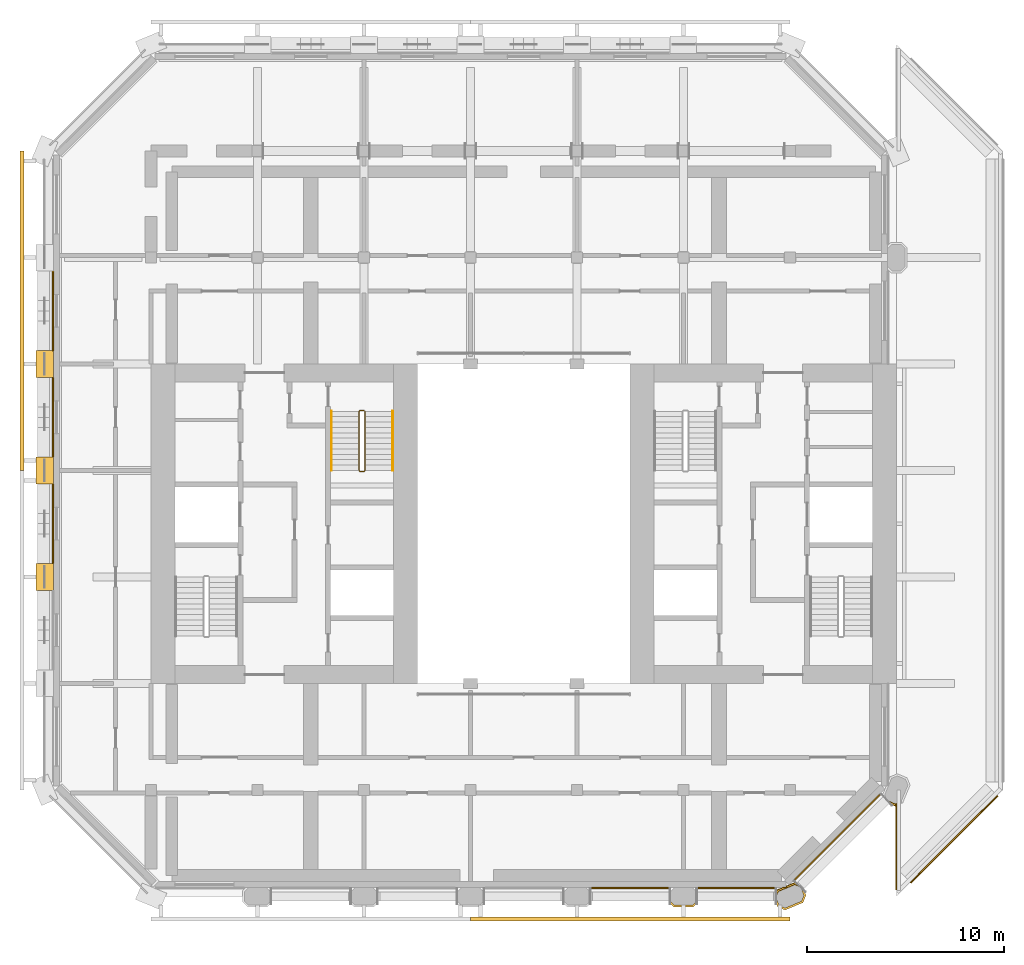
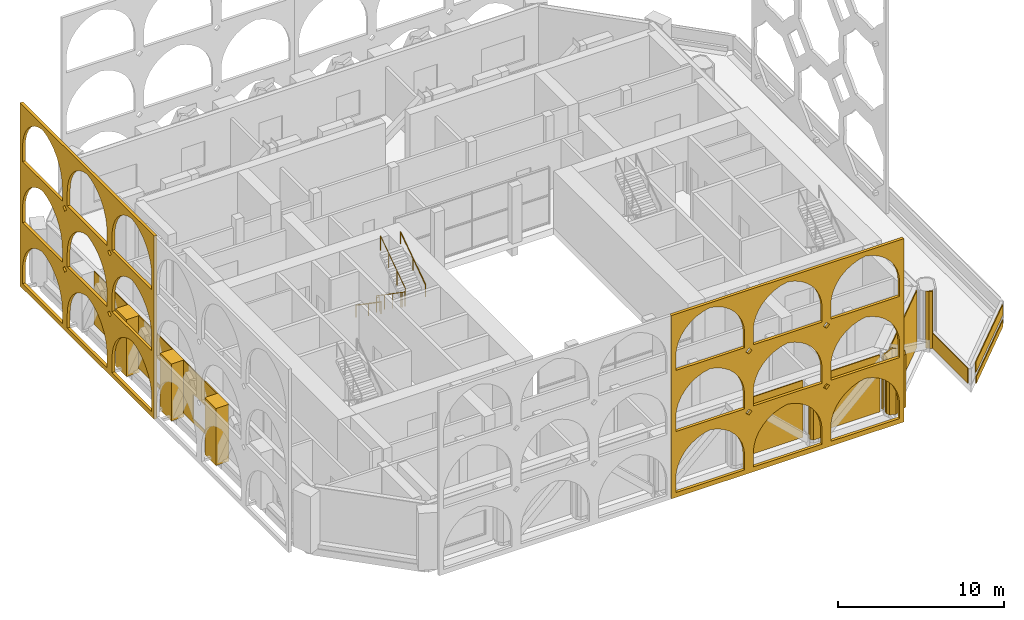
# One storey, part 14 of 16: 18 coverings, 3 railings.
"""IFC4 building model written with IfcOpenShell, lengths in metres."""

from ifc_helpers import new_model, si_unit, direction, frame, frame_2d, origin, origin_2d, place, context, subcontext, project, spatial, polyline, rectangle, circle, outline, extrude, material, layer, layer_set, type_object, element, save


model = new_model("IFC4")

# Units and contexts
model_context = context("Model", 3, precision=1e-05, world=origin(), true_north=direction((0.0, 1.0)))
body_context = subcontext(model_context, "Body", "Model", "MODEL_VIEW")
ifc_project = project(units=[si_unit("LENGTHUNIT", "METRE"), si_unit("AREAUNIT", "SQUARE_METRE"), si_unit("VOLUMEUNIT", "CUBIC_METRE"), si_unit("PLANEANGLEUNIT", "RADIAN"), si_unit("MASSUNIT", "GRAM", prefix="KILO")], contexts=[model_context])

# Site, building, storey
site_placement = place(None, origin())
site = spatial("IfcSite", under=ifc_project, at=site_placement, CompositionType="ELEMENT")
building_placement = place(site_placement, origin())
building = spatial("IfcBuilding", under=site, at=building_placement, Name="Tabaq Tower and Sports Hall", CompositionType="ELEMENT")
storey_placement = place(building_placement, frame((0.0, 0.0, 308.199951171875)))
storey = spatial("IfcBuildingStorey", under=building, at=storey_placement, Name="L77", CompositionType="ELEMENT", Elevation=308.199951171875)

# Coverings
ifc_material_1 = material(Name="Precast concrete C60/75", Category="concrete")
ifc_layer_1 = layer(ifc_material_1, 0.10009765625)
ifc_layer_set_1 = layer_set([ifc_layer_1], Name="Column cladding 100")
covering_type_1 = type_object("IfcCoveringType", Name="Column cladding 100", PredefinedType="CLADDING", material=ifc_layer_set_1)
covering_1_placement = place(storey_placement, frame((0.0, 0.0, 0.300048828125)))
element("IfcCovering", 1, at=covering_1_placement, inside=storey, type_object=covering_type_1, Name="Column cladding L77 PC-7B-CR", PredefinedType="CLADDING", context=body_context, shape_type="SweptSolid", body=[
    extrude(outline(polyline([(32.891357421875, 4.850341796875), (31.90869140625, 4.850341796875), (31.740234375, 5.018798828125), (31.740234375, 5.1591796875), (31.949951171875, 4.94970703125), (32.85009765625, 4.94970703125), (33.059814453125, 5.1591796875), (33.059814453125, 5.018798828125), (32.891357421875, 4.850341796875)])), origin(), (0.0, 0.0, 1.0), 3.89990234375),
])
covering_2_placement = place(storey_placement, frame((0.0, 0.0, 0.300048828125)))
element("IfcCovering", 2, at=covering_2_placement, inside=storey, type_object=covering_type_1, Name="Column cladding L77 PC-8B-CR", PredefinedType="CLADDING", context=body_context, shape_type="SweptSolid", body=[
    extrude(outline(polyline([(37.10546875, 5.052001953125), (37.10546875, 5.1748046875), (37.12060546875, 5.1748046875), (37.12060546875, 5.275634765625), (37.26220703125, 4.93359375), (37.556396484375, 4.811767578125), (38.38818359375, 5.15625), (38.510009765625, 5.450439453125), (38.368408203125, 5.79248046875), (38.439697265625, 5.72119140625), (38.450439453125, 5.731689453125), (38.537109375, 5.64501953125), (38.61767578125, 5.450439453125), (38.46435546875, 5.080078125), (37.556396484375, 4.7041015625), (37.186279296875, 4.857421875), (37.10546875, 5.052001953125)])), origin(), (0.0, 0.0, 1.0), 3.89990234375),
])
covering_3_placement = place(storey_placement, frame((0.0, 0.0, 0.300048828125)))
element("IfcCovering", 3, at=covering_3_placement, inside=storey, type_object=covering_type_1, Name="Column cladding L77 PC-8B-CR 2", PredefinedType="CLADDING", context=body_context, shape_type="SweptSolid", body=[
    extrude(outline(polyline([(37.1357421875, 5.7197265625), (37.44921875, 5.849609375), (37.614013671875, 5.849609375), (37.614013671875, 5.91796875), (38.04345703125, 6.095947265625), (38.116455078125, 6.065673828125), (38.1318359375, 6.05029296875), (38.12109375, 6.039794921875), (38.263671875, 5.89697265625), (38.04345703125, 5.98828125), (37.2119140625, 5.643798828125), (37.12060546875, 5.423583984375), (37.12060546875, 5.625244140625), (37.10546875, 5.625244140625), (37.10546875, 5.64697265625), (37.1357421875, 5.7197265625)])), origin(), (0.0, 0.0, 1.0), 3.89990234375),
])
covering_4_placement = place(storey_placement, origin())
element("IfcCovering", 4, at=covering_4_placement, inside=storey, type_object=covering_type_1, Name="Column cladding L77 PC-9C-CR 2", PredefinedType="CLADDING", context=body_context, shape_type="SweptSolid", body=[
    extrude(outline(polyline([(42.955078125, 10.06298828125), (42.8681640625, 10.149658203125), (42.87890625, 10.16015625), (42.8076171875, 10.231689453125), (43.149658203125, 10.08984375), (43.2197265625, 10.118896484375), (43.2197265625, 10.051513671875), (43.15966796875, 10.051513671875), (43.159423828125, 9.986572265625), (43.149658203125, 9.982421875), (42.955078125, 10.06298828125)])), origin(), (0.0, 0.0, 1.0), 4.199951171875),
])
ifc_material_2 = material(Name="Precast concrete C60/75", Category="concrete")
ifc_layer_2 = layer(ifc_material_2, 0.06005859375)
ifc_layer_set_2 = layer_set([ifc_layer_2], Name="Edge beam cladding 60")
covering_type_2 = type_object("IfcCoveringType", Name="Edge beam cladding 60", PredefinedType="CLADDING", material=ifc_layer_set_2)
covering_5_placement = place(storey_placement, frame((43.936767578125, 6.09423828125, -0.5), z_axis=(0.0, 0.0, 1.0), x_axis=(0.707106781187, 0.707106781187, 0.0)))
element("IfcCovering", 5, at=covering_5_placement, inside=storey, type_object=covering_type_2, Name="Edge beam cladding L77 6", PredefinedType="CLADDING", context=body_context, shape_type="SweptSolid", body=[
    extrude(rectangle(XDim=6.22265625, YDim=0.06005859375, at=frame_2d((3.111328125, 0.0))), origin(), (0.0, 0.0, 1.0), 0.5),
])
ifc_material_3 = material(Name="White precast concrete C60/75", Category="concrete")
covering_type_3 = type_object("IfcCoveringType", Name="Pier cladding hung 1350x900", PredefinedType="CLADDING", material=ifc_material_3)
covering_6_placement = place(storey_placement, frame((0.0, 22.27490234375, 0.0), z_axis=(0.0, 0.0, 1.0), x_axis=(0.0, -1.0, 0.0)))
element("IfcCovering", 6, at=covering_6_placement, inside=storey, type_object=covering_type_3, Name="Hung pier cladding 0/4", PredefinedType="CLADDING", context=body_context, shape_type="SweptSolid", body=[
    extrude(rectangle(XDim=1.349853515625, YDim=0.89990234375, at=frame_2d((0.6748046875, 0.0))), origin(), (0.0, 0.0, 1.0), 4.199951171875),
])
covering_7_placement = place(storey_placement, frame((0.0, 27.675048828125, 0.0), z_axis=(0.0, 0.0, 1.0), x_axis=(0.0, -1.0, 0.0)))
element("IfcCovering", 7, at=covering_7_placement, inside=storey, type_object=covering_type_3, Name="Hung pier cladding 0/5", PredefinedType="CLADDING", context=body_context, shape_type="SweptSolid", body=[
    extrude(rectangle(XDim=1.35009765625, YDim=0.89990234375, at=frame_2d((0.675048828125, 0.0))), origin(), (0.0, 0.0, 1.0), 4.199951171875),
])
covering_8_placement = place(storey_placement, frame((0.0, 33.074951171875, 0.0), z_axis=(0.0, 0.0, 1.0), x_axis=(0.0, -1.0, 0.0)))
element("IfcCovering", 8, at=covering_8_placement, inside=storey, type_object=covering_type_3, Name="Hung pier cladding 0/6", PredefinedType="CLADDING", context=body_context, shape_type="SweptSolid", body=[
    extrude(rectangle(XDim=1.349853515625, YDim=0.89990234375, at=frame_2d((0.6748046875, 0.0))), origin(), (0.0, 0.0, 1.0), 4.199951171875),
])

# Railings
ifc_material_4 = material(Name="Stainless steel", Category="steel")
railing_type_1 = type_object("IfcRailingType", Name="Stair guard", PredefinedType="GUARDRAIL", material=ifc_material_4)
railing_1_placement = place(storey_placement, frame((16.199951171875, 30.050048828125, 0.0)))
element("IfcRailing", 9, at=railing_1_placement, inside=storey, type_object=railing_type_1, Name="L77 ST2 stair guard 1", PredefinedType="GUARDRAIL", context=body_context, shape_type="SweptSolid", body=[
    extrude(circle(Radius=0.02392578125, at=origin_2d()), frame((0.0, 0.0, 1.076171875), z_axis=(-1.0, 0.0, 0.0), x_axis=(0.0, -1.0, 0.0)), (0.0, 0.0, 1.0), 0.199951171875),
    extrude(circle(Radius=0.02392578125, at=origin_2d()), frame((-0.199951171875, 0.0, 1.076171875), z_axis=(-0.249726431254, -0.249726431254, 0.935560483917), x_axis=(0.707106781187, -0.707106781187, 0.0)), (0.0, 0.0, 1.0), 0.200439453125),
    extrude(circle(Radius=0.02392578125, at=origin_2d()), frame((-0.25, -0.050048828125, 1.263671875), z_axis=(0.0, -0.824041924199, 0.566528822887), x_axis=(1.0, 0.0, 0.0)), (0.0, 0.0, 1.0), 3.640625),
    extrude(circle(Radius=0.02392578125, at=origin_2d()), frame((-0.25, -3.050048828125, 3.326171875), z_axis=(0.707106781187, -0.707106781187, 0.0), x_axis=(0.707106781187, 0.707106781187, 0.0)), (0.0, 0.0, 1.0), 0.07080078125),
    extrude(circle(Radius=0.02392578125, at=origin_2d()), frame((-0.199951171875, -3.10009765625, 3.326171875), z_axis=(1.0, 0.0, 0.0), x_axis=(0.0, 1.0, 0.0)), (0.0, 0.0, 1.0), 0.199951171875),
    extrude(circle(Radius=0.02392578125, at=origin_2d()), frame((0.0, -3.10009765625, 3.326171875), z_axis=(0.249726431254, 0.249726431254, 0.935560483917), x_axis=(-0.707106781187, 0.707106781187, 0.0)), (0.0, 0.0, 1.0), 0.200439453125),
    extrude(circle(Radius=0.02392578125, at=origin_2d()), frame((0.050048828125, -3.050048828125, 3.513671875), z_axis=(0.0, 0.824041924199, 0.566528822887), x_axis=(-1.0, 0.0, 0.0)), (0.0, 0.0, 1.0), 3.640625),
    extrude(circle(Radius=0.02099609375, at=origin_2d()), origin(), (0.0, 0.0, 1.0), 1.052001953125),
    extrude(circle(Radius=0.02099609375, at=origin_2d()), frame((-0.199951171875, 0.0, 0.0)), (0.0, 0.0, 1.0), 1.052001953125),
    extrude(circle(Radius=0.02099609375, at=origin_2d()), frame((-0.25, -0.050048828125, 0.1875)), (0.0, 0.0, 1.0), 1.052001953125),
    extrude(circle(Radius=0.02099609375, at=origin_2d()), frame((-0.25, -1.050048828125, 0.875)), (0.0, 0.0, 1.0), 1.052001953125),
    extrude(circle(Radius=0.02099609375, at=origin_2d()), frame((-0.25, -2.050048828125, 1.5625)), (0.0, 0.0, 1.0), 1.052001953125),
    extrude(circle(Radius=0.02099609375, at=origin_2d()), frame((-0.25, -3.050048828125, 2.25)), (0.0, 0.0, 1.0), 1.052001953125),
    extrude(circle(Radius=0.02099609375, at=origin_2d()), frame((-0.199951171875, -3.10009765625, 2.25)), (0.0, 0.0, 1.0), 1.052001953125),
    extrude(circle(Radius=0.02099609375, at=origin_2d()), frame((0.0, -3.10009765625, 2.25)), (0.0, 0.0, 1.0), 1.052001953125),
    extrude(circle(Radius=0.02099609375, at=origin_2d()), frame((0.050048828125, -3.050048828125, 2.4375)), (0.0, 0.0, 1.0), 1.052001953125),
    extrude(circle(Radius=0.02099609375, at=origin_2d()), frame((0.050048828125, -2.050048828125, 3.125)), (0.0, 0.0, 1.0), 1.052001953125),
    extrude(circle(Radius=0.02099609375, at=origin_2d()), frame((0.050048828125, -1.050048828125, 3.8125)), (0.0, 0.0, 1.0), 1.052001953125),
    extrude(circle(Radius=0.02099609375, at=origin_2d()), frame((0.050048828125, -0.050048828125, 4.5)), (0.0, 0.0, 1.0), 1.052001953125),
])
ifc_material_5 = material(Name="Stainless steel", Category="steel")
railing_type_2 = type_object("IfcRailingType", Name="Stair handrail", PredefinedType="HANDRAIL", material=ifc_material_5)
railing_2_placement = place(storey_placement, frame((14.550048828125, 30.0, 0.1875)))
element("IfcRailing", 10, at=railing_2_placement, inside=storey, type_object=railing_type_2, Name="L77 ST2 stair handrail 1", PredefinedType="HANDRAIL", context=body_context, shape_type="SweptSolid", body=[
    extrude(circle(Radius=0.02392578125, at=origin_2d()), frame((0.0, 0.0, 0.8759765625), z_axis=(0.0, -0.824041924199, 0.566528822887), x_axis=(1.0, 0.0, 0.0)), (0.0, 0.0, 1.0), 3.640625),
    extrude(circle(Radius=0.02099609375, at=origin_2d()), origin(), (0.0, 0.0, 1.0), 0.851806640625),
    extrude(circle(Radius=0.02099609375, at=origin_2d()), frame((0.0, -1.5, 1.03125)), (0.0, 0.0, 1.0), 0.851806640625),
    extrude(circle(Radius=0.02099609375, at=origin_2d()), frame((0.0, -3.0, 2.0625)), (0.0, 0.0, 1.0), 0.851806640625),
])
railing_3_placement = place(storey_placement, frame((17.64990234375, 27.0, 2.4375)))
element("IfcRailing", 11, at=railing_3_placement, inside=storey, type_object=railing_type_2, Name="L77 ST2 stair handrail 2", PredefinedType="HANDRAIL", context=body_context, shape_type="SweptSolid", body=[
    extrude(circle(Radius=0.02392578125, at=origin_2d()), frame((0.0, 0.0, 0.8759765625), z_axis=(0.0, 0.824041924199, 0.566528822887), x_axis=(-1.0, 0.0, 0.0)), (0.0, 0.0, 1.0), 3.640625),
    extrude(circle(Radius=0.02099609375, at=origin_2d()), origin(), (0.0, 0.0, 1.0), 0.851806640625),
    extrude(circle(Radius=0.02099609375, at=origin_2d()), frame((0.0, 1.5, 1.03125)), (0.0, 0.0, 1.0), 0.851806640625),
    extrude(circle(Radius=0.02099609375, at=origin_2d()), frame((0.0, 3.0, 2.0625)), (0.0, 0.0, 1.0), 0.851806640625),
])

# Coverings
ifc_material_6 = material(Name="White precast concrete C60/75 pierced screen", Category="concrete")
ifc_layer_3 = layer(ifc_material_6, 0.199951171875)
ifc_layer_set_3 = layer_set([ifc_layer_3], Name="TRACERY SCREEN 200 C60/75")
covering_type_4 = type_object("IfcCoveringType", Name="TRACERY SCREEN 200 C60/75", PredefinedType="CLADDING", material=ifc_layer_set_3)
covering_9_placement = place(storey_placement, frame((21.60009765625, 4.25, 0.0), z_axis=(0.0, 0.0, 1.0), x_axis=(1.0, 0.0, 0.0)))
element("IfcCovering", 12, at=covering_9_placement, inside=storey, type_object=covering_type_4, Name="Tracery screen CR S L77-L79", PredefinedType="CLADDING", context=body_context, shape_type="SweptSolid", body=[
    extrude(outline(polyline([(0.0, 0.0), (16.199951171875, 0.0), (16.199951171875, 13.5), (0.0, 13.5), (0.0, 0.0)]), holes=[polyline([(0.300048828125, 0.35009765625), (5.10009765625, 0.35009765625), (5.10009765625, 1.39013671875), (5.055419921875, 1.885986328125), (4.92333984375, 2.3662109375), (4.7080078125, 2.815185546875), (4.416015625, 3.21875), (4.05712890625, 3.56396484375), (3.642333984375, 3.839599609375), (3.18505859375, 4.037109375), (2.699951171875, 4.150146484375), (2.21484375, 4.037109375), (1.7578125, 3.839599609375), (1.343017578125, 3.56396484375), (0.98388671875, 3.21875), (0.69189453125, 2.815185546875), (0.4765625, 2.3662109375), (0.344482421875, 1.885986328125), (0.300048828125, 1.39013671875), (0.300048828125, 0.35009765625)]), polyline([(5.699951171875, 0.35009765625), (10.5, 0.35009765625), (10.5, 1.39013671875), (10.45556640625, 1.885986328125), (10.323486328125, 2.3662109375), (10.10791015625, 2.815185546875), (9.816162109375, 3.21875), (9.45703125, 3.56396484375), (9.042236328125, 3.839599609375), (8.5849609375, 4.037109375), (8.10009765625, 4.150146484375), (7.614990234375, 4.037109375), (7.15771484375, 3.839599609375), (6.742919921875, 3.56396484375), (6.384033203125, 3.21875), (6.092041015625, 2.815185546875), (5.87646484375, 2.3662109375), (5.744384765625, 1.885986328125), (5.699951171875, 1.39013671875), (5.699951171875, 0.35009765625)]), polyline([(11.10009765625, 0.35009765625), (15.89990234375, 0.35009765625), (15.89990234375, 1.39013671875), (15.85546875, 1.885986328125), (15.723388671875, 2.3662109375), (15.508056640625, 2.815185546875), (15.216064453125, 3.21875), (14.85693359375, 3.56396484375), (14.442138671875, 3.839599609375), (13.985107421875, 4.037109375), (13.5, 4.150146484375), (13.014892578125, 4.037109375), (12.557861328125, 3.839599609375), (12.14306640625, 3.56396484375), (11.783935546875, 3.21875), (11.491943359375, 2.815185546875), (11.276611328125, 2.3662109375), (11.14453125, 1.885986328125), (11.10009765625, 1.39013671875), (11.10009765625, 0.35009765625)]), polyline([(0.300048828125, 4.85009765625), (5.10009765625, 4.85009765625), (5.10009765625, 5.89013671875), (5.055419921875, 6.385986328125), (4.92333984375, 6.8662109375), (4.7080078125, 7.315185546875), (4.416015625, 7.71875), (4.05712890625, 8.06396484375), (3.642333984375, 8.339599609375), (3.18505859375, 8.537109375), (2.699951171875, 8.650146484375), (2.21484375, 8.537109375), (1.7578125, 8.339599609375), (1.343017578125, 8.06396484375), (0.98388671875, 7.71875), (0.69189453125, 7.315185546875), (0.4765625, 6.8662109375), (0.344482421875, 6.385986328125), (0.300048828125, 5.89013671875), (0.300048828125, 4.85009765625)]), polyline([(5.699951171875, 4.85009765625), (10.5, 4.85009765625), (10.5, 5.89013671875), (10.45556640625, 6.385986328125), (10.323486328125, 6.8662109375), (10.10791015625, 7.315185546875), (9.816162109375, 7.71875), (9.45703125, 8.06396484375), (9.042236328125, 8.339599609375), (8.5849609375, 8.537109375), (8.10009765625, 8.650146484375), (7.614990234375, 8.537109375), (7.15771484375, 8.339599609375), (6.742919921875, 8.06396484375), (6.384033203125, 7.71875), (6.092041015625, 7.315185546875), (5.87646484375, 6.8662109375), (5.744384765625, 6.385986328125), (5.699951171875, 5.89013671875), (5.699951171875, 4.85009765625)]), polyline([(11.10009765625, 4.85009765625), (15.89990234375, 4.85009765625), (15.89990234375, 5.89013671875), (15.85546875, 6.385986328125), (15.723388671875, 6.8662109375), (15.508056640625, 7.315185546875), (15.216064453125, 7.71875), (14.85693359375, 8.06396484375), (14.442138671875, 8.339599609375), (13.985107421875, 8.537109375), (13.5, 8.650146484375), (13.014892578125, 8.537109375), (12.557861328125, 8.339599609375), (12.14306640625, 8.06396484375), (11.783935546875, 7.71875), (11.491943359375, 7.315185546875), (11.276611328125, 6.8662109375), (11.14453125, 6.385986328125), (11.10009765625, 5.89013671875), (11.10009765625, 4.85009765625)]), polyline([(0.300048828125, 9.35009765625), (5.10009765625, 9.35009765625), (5.10009765625, 10.39013671875), (5.055419921875, 10.885986328125), (4.92333984375, 11.3662109375), (4.7080078125, 11.815185546875), (4.416015625, 12.21875), (4.05712890625, 12.56396484375), (3.642333984375, 12.839599609375), (3.18505859375, 13.037109375), (2.699951171875, 13.150146484375), (2.21484375, 13.037109375), (1.7578125, 12.839599609375), (1.343017578125, 12.56396484375), (0.98388671875, 12.21875), (0.69189453125, 11.815185546875), (0.4765625, 11.3662109375), (0.344482421875, 10.885986328125), (0.300048828125, 10.39013671875), (0.300048828125, 9.35009765625)]), polyline([(5.699951171875, 9.35009765625), (10.5, 9.35009765625), (10.5, 10.39013671875), (10.45556640625, 10.885986328125), (10.323486328125, 11.3662109375), (10.10791015625, 11.815185546875), (9.816162109375, 12.21875), (9.45703125, 12.56396484375), (9.042236328125, 12.839599609375), (8.5849609375, 13.037109375), (8.10009765625, 13.150146484375), (7.614990234375, 13.037109375), (7.15771484375, 12.839599609375), (6.742919921875, 12.56396484375), (6.384033203125, 12.21875), (6.092041015625, 11.815185546875), (5.87646484375, 11.3662109375), (5.744384765625, 10.885986328125), (5.699951171875, 10.39013671875), (5.699951171875, 9.35009765625)]), polyline([(11.10009765625, 9.35009765625), (15.89990234375, 9.35009765625), (15.89990234375, 10.39013671875), (15.85546875, 10.885986328125), (15.723388671875, 11.3662109375), (15.508056640625, 11.815185546875), (15.216064453125, 12.21875), (14.85693359375, 12.56396484375), (14.442138671875, 12.839599609375), (13.985107421875, 13.037109375), (13.5, 13.150146484375), (13.014892578125, 13.037109375), (12.557861328125, 12.839599609375), (12.14306640625, 12.56396484375), (11.783935546875, 12.21875), (11.491943359375, 11.815185546875), (11.276611328125, 11.3662109375), (11.14453125, 10.885986328125), (11.10009765625, 10.39013671875), (11.10009765625, 9.35009765625)]), polyline([(5.6201171875, 4.5), (5.39990234375, 4.719970703125), (5.179931640625, 4.5), (5.39990234375, 4.280029296875), (5.6201171875, 4.5)]), polyline([(11.02001953125, 4.5), (10.800048828125, 4.719970703125), (10.580078125, 4.5), (10.800048828125, 4.280029296875), (11.02001953125, 4.5)]), polyline([(5.6201171875, 9.0), (5.39990234375, 9.219970703125), (5.179931640625, 9.0), (5.39990234375, 8.780029296875), (5.6201171875, 9.0)]), polyline([(11.02001953125, 9.0), (10.800048828125, 9.219970703125), (10.580078125, 9.0), (10.800048828125, 8.780029296875), (11.02001953125, 9.0)])]), frame((0.0, 0.10009765625, 0.0), z_axis=(0.0, -1.0, 0.0), x_axis=(1.0, 0.0, 0.0)), (0.0, 0.0, 1.0), 0.199951171875),
])
covering_10_placement = place(storey_placement, frame((-1.14990234375, 43.199951171875, 0.0), z_axis=(0.0, 0.0, 1.0), x_axis=(0.0, -1.0, 0.0)))
element("IfcCovering", 13, at=covering_10_placement, inside=storey, type_object=covering_type_4, Name="Tracery screen CR W L77-L79", PredefinedType="CLADDING", context=body_context, shape_type="SweptSolid", body=[
    extrude(outline(polyline([(0.0, 0.0), (16.199951171875, 0.0), (16.199951171875, 13.5), (0.0, 13.5), (0.0, 0.0)]), holes=[polyline([(0.300048828125, 0.35009765625), (5.10009765625, 0.35009765625), (5.10009765625, 1.39013671875), (5.055419921875, 1.885986328125), (4.92333984375, 2.3662109375), (4.7080078125, 2.815185546875), (4.416015625, 3.21875), (4.05712890625, 3.56396484375), (3.642333984375, 3.839599609375), (3.18505859375, 4.037109375), (2.699951171875, 4.150146484375), (2.21484375, 4.037109375), (1.7578125, 3.839599609375), (1.343017578125, 3.56396484375), (0.98388671875, 3.21875), (0.69189453125, 2.815185546875), (0.4765625, 2.3662109375), (0.344482421875, 1.885986328125), (0.300048828125, 1.39013671875), (0.300048828125, 0.35009765625)]), polyline([(5.699951171875, 0.35009765625), (10.5, 0.35009765625), (10.5, 1.39013671875), (10.45556640625, 1.885986328125), (10.323486328125, 2.3662109375), (10.10791015625, 2.815185546875), (9.816162109375, 3.21875), (9.45703125, 3.56396484375), (9.042236328125, 3.839599609375), (8.5849609375, 4.037109375), (8.10009765625, 4.150146484375), (7.614990234375, 4.037109375), (7.15771484375, 3.839599609375), (6.742919921875, 3.56396484375), (6.384033203125, 3.21875), (6.092041015625, 2.815185546875), (5.87646484375, 2.3662109375), (5.744384765625, 1.885986328125), (5.699951171875, 1.39013671875), (5.699951171875, 0.35009765625)]), polyline([(11.10009765625, 0.35009765625), (15.89990234375, 0.35009765625), (15.89990234375, 1.39013671875), (15.85546875, 1.885986328125), (15.723388671875, 2.3662109375), (15.508056640625, 2.815185546875), (15.216064453125, 3.21875), (14.85693359375, 3.56396484375), (14.442138671875, 3.839599609375), (13.985107421875, 4.037109375), (13.5, 4.150146484375), (13.014892578125, 4.037109375), (12.557861328125, 3.839599609375), (12.14306640625, 3.56396484375), (11.783935546875, 3.21875), (11.491943359375, 2.815185546875), (11.276611328125, 2.3662109375), (11.14453125, 1.885986328125), (11.10009765625, 1.39013671875), (11.10009765625, 0.35009765625)]), polyline([(0.300048828125, 4.85009765625), (5.10009765625, 4.85009765625), (5.10009765625, 5.89013671875), (5.055419921875, 6.385986328125), (4.92333984375, 6.8662109375), (4.7080078125, 7.315185546875), (4.416015625, 7.71875), (4.05712890625, 8.06396484375), (3.642333984375, 8.339599609375), (3.18505859375, 8.537109375), (2.699951171875, 8.650146484375), (2.21484375, 8.537109375), (1.7578125, 8.339599609375), (1.343017578125, 8.06396484375), (0.98388671875, 7.71875), (0.69189453125, 7.315185546875), (0.4765625, 6.8662109375), (0.344482421875, 6.385986328125), (0.300048828125, 5.89013671875), (0.300048828125, 4.85009765625)]), polyline([(5.699951171875, 4.85009765625), (10.5, 4.85009765625), (10.5, 5.89013671875), (10.45556640625, 6.385986328125), (10.323486328125, 6.8662109375), (10.10791015625, 7.315185546875), (9.816162109375, 7.71875), (9.45703125, 8.06396484375), (9.042236328125, 8.339599609375), (8.5849609375, 8.537109375), (8.10009765625, 8.650146484375), (7.614990234375, 8.537109375), (7.15771484375, 8.339599609375), (6.742919921875, 8.06396484375), (6.384033203125, 7.71875), (6.092041015625, 7.315185546875), (5.87646484375, 6.8662109375), (5.744384765625, 6.385986328125), (5.699951171875, 5.89013671875), (5.699951171875, 4.85009765625)]), polyline([(11.10009765625, 4.85009765625), (15.89990234375, 4.85009765625), (15.89990234375, 5.89013671875), (15.85546875, 6.385986328125), (15.723388671875, 6.8662109375), (15.508056640625, 7.315185546875), (15.216064453125, 7.71875), (14.85693359375, 8.06396484375), (14.442138671875, 8.339599609375), (13.985107421875, 8.537109375), (13.5, 8.650146484375), (13.014892578125, 8.537109375), (12.557861328125, 8.339599609375), (12.14306640625, 8.06396484375), (11.783935546875, 7.71875), (11.491943359375, 7.315185546875), (11.276611328125, 6.8662109375), (11.14453125, 6.385986328125), (11.10009765625, 5.89013671875), (11.10009765625, 4.85009765625)]), polyline([(0.300048828125, 9.35009765625), (5.10009765625, 9.35009765625), (5.10009765625, 10.39013671875), (5.055419921875, 10.885986328125), (4.92333984375, 11.3662109375), (4.7080078125, 11.815185546875), (4.416015625, 12.21875), (4.05712890625, 12.56396484375), (3.642333984375, 12.839599609375), (3.18505859375, 13.037109375), (2.699951171875, 13.150146484375), (2.21484375, 13.037109375), (1.7578125, 12.839599609375), (1.343017578125, 12.56396484375), (0.98388671875, 12.21875), (0.69189453125, 11.815185546875), (0.4765625, 11.3662109375), (0.344482421875, 10.885986328125), (0.300048828125, 10.39013671875), (0.300048828125, 9.35009765625)]), polyline([(5.699951171875, 9.35009765625), (10.5, 9.35009765625), (10.5, 10.39013671875), (10.45556640625, 10.885986328125), (10.323486328125, 11.3662109375), (10.10791015625, 11.815185546875), (9.816162109375, 12.21875), (9.45703125, 12.56396484375), (9.042236328125, 12.839599609375), (8.5849609375, 13.037109375), (8.10009765625, 13.150146484375), (7.614990234375, 13.037109375), (7.15771484375, 12.839599609375), (6.742919921875, 12.56396484375), (6.384033203125, 12.21875), (6.092041015625, 11.815185546875), (5.87646484375, 11.3662109375), (5.744384765625, 10.885986328125), (5.699951171875, 10.39013671875), (5.699951171875, 9.35009765625)]), polyline([(11.10009765625, 9.35009765625), (15.89990234375, 9.35009765625), (15.89990234375, 10.39013671875), (15.85546875, 10.885986328125), (15.723388671875, 11.3662109375), (15.508056640625, 11.815185546875), (15.216064453125, 12.21875), (14.85693359375, 12.56396484375), (14.442138671875, 12.839599609375), (13.985107421875, 13.037109375), (13.5, 13.150146484375), (13.014892578125, 13.037109375), (12.557861328125, 12.839599609375), (12.14306640625, 12.56396484375), (11.783935546875, 12.21875), (11.491943359375, 11.815185546875), (11.276611328125, 11.3662109375), (11.14453125, 10.885986328125), (11.10009765625, 10.39013671875), (11.10009765625, 9.35009765625)]), polyline([(5.6201171875, 4.5), (5.39990234375, 4.719970703125), (5.179931640625, 4.5), (5.39990234375, 4.280029296875), (5.6201171875, 4.5)]), polyline([(11.02001953125, 4.5), (10.800048828125, 4.719970703125), (10.580078125, 4.5), (10.800048828125, 4.280029296875), (11.02001953125, 4.5)]), polyline([(5.6201171875, 9.0), (5.39990234375, 9.219970703125), (5.179931640625, 9.0), (5.39990234375, 8.780029296875), (5.6201171875, 9.0)]), polyline([(11.02001953125, 9.0), (10.800048828125, 9.219970703125), (10.580078125, 9.0), (10.800048828125, 8.780029296875), (11.02001953125, 9.0)])]), frame((0.0, 0.10009765625, 0.0), z_axis=(0.0, -1.0, 0.0), x_axis=(1.0, 0.0, 0.0)), (0.0, 0.0, 1.0), 0.199951171875),
])
ifc_material_7 = material(Name="Precast concrete C60/75", Category="concrete")
ifc_layer_4 = layer(ifc_material_7, 0.06005859375)
ifc_layer_set_4 = layer_set([ifc_layer_4], Name="White precast cladding panel 60 C60/75")
covering_type_5 = type_object("IfcCoveringType", Name="White precast cladding panel 60 C60/75", PredefinedType="CLADDING", material=ifc_layer_set_4)
covering_11_placement = place(storey_placement, frame((27.699951171875, 5.820068359375, 0.0), z_axis=(0.0, 0.0, 1.0), x_axis=(1.0, 0.0, 0.0)))
element("IfcCovering", 14, at=covering_11_placement, inside=storey, type_object=covering_type_5, Name="White precast cladding panel L77 wall00 5", PredefinedType="CLADDING", context=body_context, shape_type="SweptSolid", body=[
    extrude(outline(polyline([(0.0, 0.0), (4.0, 0.0), (4.0, 4.199951171875), (3.982666015625, 4.199951171875), (3.3896484375, 4.199951171875), (2.79638671875, 4.199951171875), (2.203369140625, 4.199951171875), (1.6103515625, 4.199951171875), (1.01708984375, 4.199951171875), (0.424072265625, 4.199951171875), (0.0, 4.199951171875), (0.0, 0.0)])), frame((0.0, 0.030029296875, 0.0), z_axis=(0.0, -1.0, 0.0), x_axis=(1.0, 0.0, 0.0)), (0.0, 0.0, 1.0), 0.06005859375),
])
covering_12_placement = place(storey_placement, frame((33.10009765625, 5.820068359375, 0.0), z_axis=(0.0, 0.0, 1.0), x_axis=(1.0, 0.0, 0.0)))
element("IfcCovering", 15, at=covering_12_placement, inside=storey, type_object=covering_type_5, Name="White precast cladding panel L77 wall00 6", PredefinedType="CLADDING", context=body_context, shape_type="SweptSolid", body=[
    extrude(outline(polyline([(0.0, 0.0), (3.965087890625, 0.0), (3.96533203125, 4.199951171875), (3.92041015625, 4.199951171875), (3.327392578125, 4.199951171875), (2.734375, 4.199951171875), (2.14111328125, 4.199951171875), (1.548095703125, 4.199951171875), (0.955078125, 4.199951171875), (0.36181640625, 4.199951171875), (0.0, 4.199951171875), (0.0, 0.0)])), frame((0.0, 0.030029296875, 0.0), z_axis=(0.0, -1.0, 0.0), x_axis=(1.0, 0.0, 0.0)), (0.0, 0.0, 1.0), 0.06005859375),
])
covering_13_placement = place(storey_placement, frame((38.0224609375, 6.216552734375, 0.0), z_axis=(0.0, 0.0, 1.0), x_axis=(0.707126573961, 0.707086987858, 0.0)))
element("IfcCovering", 16, at=covering_13_placement, inside=storey, type_object=covering_type_5, Name="White precast cladding panel L77 wall01", PredefinedType="CLADDING", context=body_context, shape_type="SweptSolid", body=[
    extrude(outline(polyline([(0.0, 0.0), (6.167236328125, 0.0), (6.167236328125, 4.199951171875), (5.94189453125, 4.199951171875), (5.3701171875, 4.199951171875), (4.798583984375, 4.199951171875), (4.22705078125, 4.199951171875), (3.6552734375, 4.199951171875), (3.083740234375, 4.199951171875), (2.511962890625, 4.199951171875), (1.9404296875, 4.199951171875), (1.36865234375, 4.199951171875), (0.797119140625, 4.199951171875), (0.225341796875, 4.199951171875), (0.0, 4.199951171875), (0.0, 0.0)])), frame((0.0, 0.030029296875, 0.0), z_axis=(0.0, -1.0, 0.0), x_axis=(1.0, 0.0, 0.0)), (0.0, 0.0, 1.0), 0.06005859375),
])
covering_14_placement = place(storey_placement, frame((0.419921875, 37.114990234375, 0.31005859375), z_axis=(0.0, 0.0, 1.0), x_axis=(0.0, -1.0, 0.0)))
element("IfcCovering", 17, at=covering_14_placement, inside=storey, type_object=covering_type_5, Name="White precast cladding panel L77 wall06 2", PredefinedType="CLADDING", context=body_context, shape_type="SweptSolid", body=[
    extrude(outline(polyline([(0.0, 0.0), (4.030029296875, 0.0), (4.030029296875, 3.889892578125), (3.5908203125, 3.889892578125), (2.997802734375, 3.889892578125), (2.40478515625, 3.889892578125), (1.811767578125, 3.889892578125), (1.218505859375, 3.889892578125), (0.62548828125, 3.889892578125), (0.032470703125, 3.889892578125), (0.0, 3.889892578125), (0.0, 0.0)]), holes=[polyline([(1.179931640625, 0.280029296875), (1.179931640625, 2.10009765625), (2.85009765625, 2.10009765625), (2.85009765625, 0.280029296875), (1.179931640625, 0.280029296875)])]), frame((0.0, 0.030029296875, 0.0), z_axis=(0.0, -1.0, 0.0), x_axis=(1.0, 0.0, 0.0)), (0.0, 0.0, 1.0), 0.06005859375),
])
covering_15_placement = place(storey_placement, frame((0.419921875, 31.715087890625, 0.31005859375), z_axis=(0.0, 0.0, 1.0), x_axis=(0.0, -1.0, 0.0)))
element("IfcCovering", 18, at=covering_15_placement, inside=storey, type_object=covering_type_5, Name="White precast cladding panel L77 wall06 3", PredefinedType="CLADDING", context=body_context, shape_type="SweptSolid", body=[
    extrude(outline(polyline([(0.0, 0.0), (4.030029296875, 0.0), (4.030029296875, 3.889892578125), (3.52880859375, 3.889892578125), (2.935791015625, 3.889892578125), (2.342529296875, 3.889892578125), (1.74951171875, 3.889892578125), (1.156494140625, 3.889892578125), (0.563232421875, 3.889892578125), (0.0, 3.889892578125), (0.0, 0.0)]), holes=[polyline([(1.179931640625, 0.280029296875), (1.179931640625, 2.10009765625), (2.85009765625, 2.10009765625), (2.85009765625, 0.280029296875), (1.179931640625, 0.280029296875)])]), frame((0.0, 0.030029296875, 0.0), z_axis=(0.0, -1.0, 0.0), x_axis=(1.0, 0.0, 0.0)), (0.0, 0.0, 1.0), 0.06005859375),
])
covering_16_placement = place(storey_placement, frame((0.419921875, 26.31494140625, 0.31005859375), z_axis=(0.0, 0.0, 1.0), x_axis=(0.0, -1.0, 0.0)))
element("IfcCovering", 19, at=covering_16_placement, inside=storey, type_object=covering_type_5, Name="White precast cladding panel L77 wall06 4", PredefinedType="CLADDING", context=body_context, shape_type="SweptSolid", body=[
    extrude(outline(polyline([(0.0, 0.0), (4.030029296875, 0.0), (4.030029296875, 3.889892578125), (3.466796875, 3.889892578125), (2.87353515625, 3.889892578125), (2.280517578125, 3.889892578125), (1.6875, 3.889892578125), (1.09423828125, 3.889892578125), (0.501220703125, 3.889892578125), (0.0, 3.889892578125), (0.0, 0.0)]), holes=[polyline([(1.179931640625, 0.280029296875), (1.179931640625, 2.10009765625), (2.85009765625, 2.10009765625), (2.85009765625, 0.280029296875), (1.179931640625, 0.280029296875)])]), frame((0.0, 0.030029296875, 0.0), z_axis=(0.0, -1.0, 0.0), x_axis=(1.0, 0.0, 0.0)), (0.0, 0.0, 1.0), 0.06005859375),
])
covering_17_placement = place(storey_placement, frame((48.329833984375, 10.515625, 0.31005859375), z_axis=(0.0, 0.0, 1.0), x_axis=(-0.707106781187, -0.707106781187, 0.0)))
element("IfcCovering", 20, at=covering_17_placement, inside=storey, type_object=covering_type_5, Name="White precast cladding panel L77 parapet00-3", PredefinedType="CLADDING", context=body_context, shape_type="SweptSolid", body=[
    extrude(rectangle(XDim=6.24267578125, YDim=0.06005859375, at=frame_2d((3.121337890625, 0.0))), origin(), (0.0, 0.0, 1.0), 0.7900390625),
])
covering_18_placement = place(storey_placement, frame((43.18994140625, 5.74072265625, 0.0), z_axis=(0.0, 0.0, 1.0), x_axis=(0.0, 1.0, 0.0)))
element("IfcCovering", 21, at=covering_18_placement, inside=storey, type_object=covering_type_5, Name="White precast cladding panel L77 parapet00-4", PredefinedType="CLADDING", context=body_context, shape_type="SweptSolid", body=[
    extrude(rectangle(XDim=4.310546875, YDim=0.06005859375, at=frame_2d((2.1552734375, 0.0))), origin(), (0.0, 0.0, 1.0), 1.10009765625),
])

save(model, "model.ifc")
